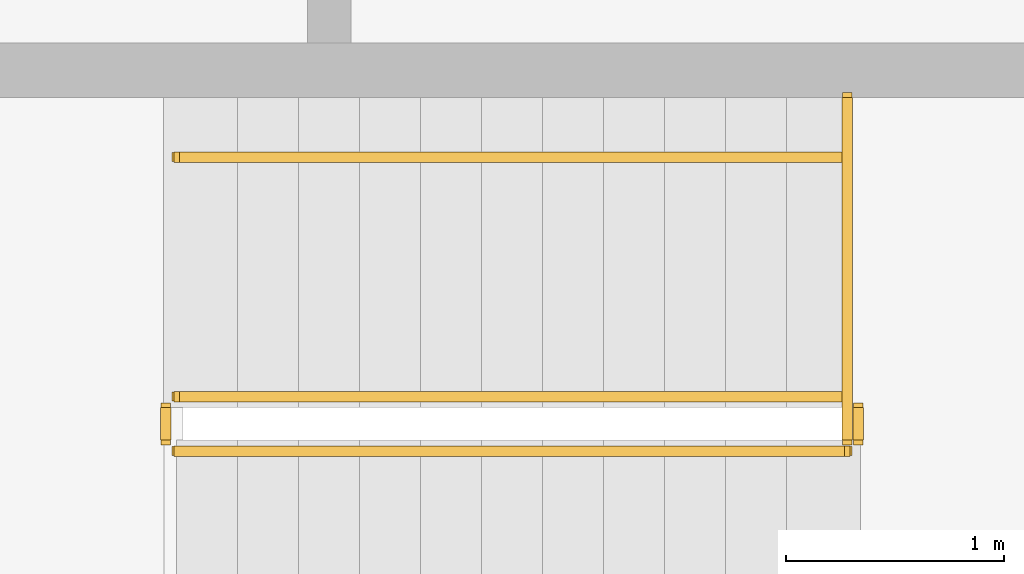
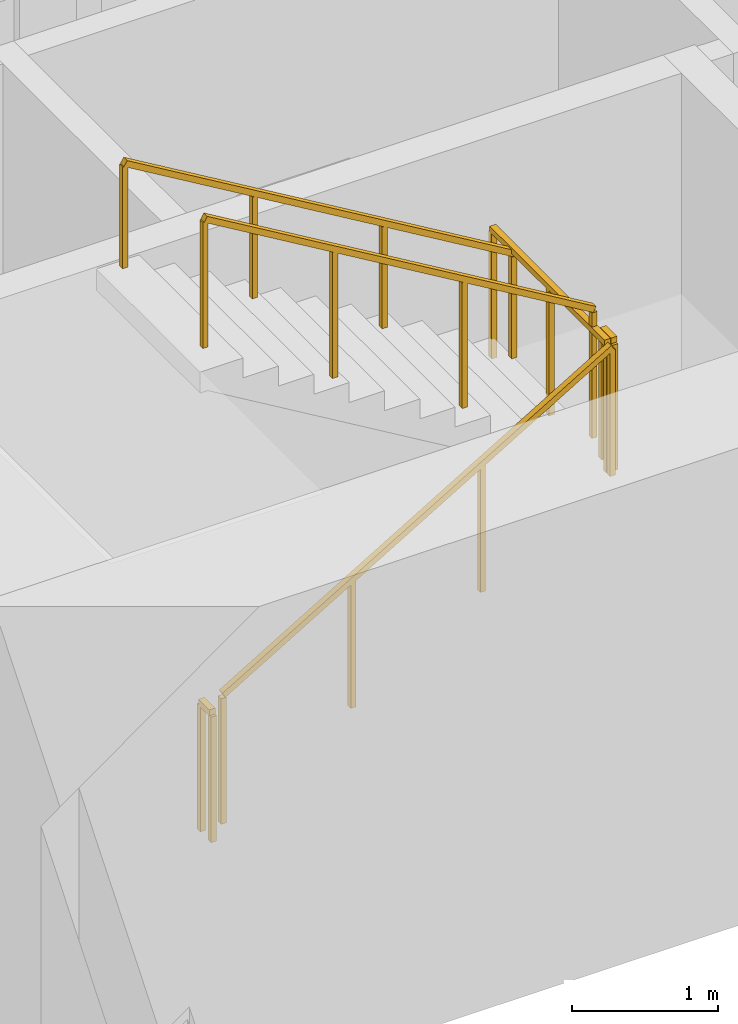
# One storey, part 13 of 16: 6 railings.
"""IFC4 building model written with IfcOpenShell, lengths in metres."""

from ifc_helpers import new_model, si_unit, direction, frame, origin, origin_2d, place, context, subcontext, project, spatial, rectangle, extrude, material, type_object, element, save


model = new_model("IFC4")

# Units and contexts
model_context = context("Model", 3, precision=1e-05, world=origin(), true_north=direction((0.0, 1.0)))
body_context = subcontext(model_context, "Body", "Model", "MODEL_VIEW")
ifc_project = project(units=[si_unit("LENGTHUNIT", "METRE"), si_unit("AREAUNIT", "SQUARE_METRE"), si_unit("VOLUMEUNIT", "CUBIC_METRE"), si_unit("PLANEANGLEUNIT", "RADIAN"), si_unit("MASSUNIT", "GRAM", prefix="KILO")], contexts=[model_context])

# Site, building, storey
site_placement = place(None, origin())
site = spatial("IfcSite", under=ifc_project, at=site_placement, CompositionType="ELEMENT")
building_placement = place(site_placement, origin())
building = spatial("IfcBuilding", under=site, at=building_placement, Name="Sennacour Bend Tower", CompositionType="ELEMENT")
storey_placement = place(building_placement, frame((0.0, 0.0, 211.0)))
storey = spatial("IfcBuildingStorey", under=building, at=storey_placement, Name="L48", CompositionType="ELEMENT", Elevation=211.0)

# Railings
ifc_material = material(Name="Stainless steel", Category="steel")
railing_type_1 = type_object("IfcRailingType", Name="RL-GUARD-1100", PredefinedType="GUARDRAIL", material=ifc_material)
railing_1_placement = place(storey_placement, frame((56.699951171875, 2.449951171875, 0.166748046875)))
element("IfcRailing", 1, at=railing_1_placement, inside=storey, type_object=railing_type_1, Name="L48 SA1 stair guard 1", PredefinedType="GUARDRAIL", context=body_context, shape_type="SweptSolid", body=[
    extrude(rectangle(XDim=0.048095703125, YDim=0.048095703125, at=origin_2d()), frame((0.0, 0.0, 1.076171875), z_axis=(0.859308565015, 0.0, 0.511457515432), x_axis=(0.0, 1.0, 0.0)), (0.0, 0.0, 1.0), 3.58447265625),
    extrude(rectangle(XDim=0.0419921875, YDim=0.0419921875, at=origin_2d()), origin(), (0.0, 0.0, 1.0), 1.052001953125),
    extrude(rectangle(XDim=0.0419921875, YDim=0.0419921875, at=origin_2d()), frame((1.026611328125, 0.0, 0.611083984375)), (0.0, 0.0, 1.0), 1.052001953125),
    extrude(rectangle(XDim=0.0419921875, YDim=0.0419921875, at=origin_2d()), frame((2.053466796875, 0.0, 1.22216796875)), (0.0, 0.0, 1.0), 1.052001953125),
    extrude(rectangle(XDim=0.0419921875, YDim=0.0419921875, at=origin_2d()), frame((3.080078125, 0.0, 1.833251953125)), (0.0, 0.0, 1.0), 1.052001953125),
])
railing_2_placement = place(storey_placement, frame((59.830078125, 2.5, 2.0)))
element("IfcRailing", 2, at=railing_2_placement, inside=storey, type_object=railing_type_1, Name="L48 SA1 stair guard 2", PredefinedType="GUARDRAIL", context=body_context, shape_type="SweptSolid", body=[
    extrude(rectangle(XDim=0.048095703125, YDim=0.048095703125, at=origin_2d()), frame((0.0, 0.0, 1.076171875), z_axis=(0.0, 1.0, 0.0), x_axis=(-1.0, 0.0, 0.0)), (0.0, 0.0, 1.0), 0.14990234375),
    extrude(rectangle(XDim=0.0419921875, YDim=0.0419921875, at=origin_2d()), origin(), (0.0, 0.0, 1.0), 1.052001953125),
    extrude(rectangle(XDim=0.0419921875, YDim=0.0419921875, at=origin_2d()), frame((0.0, 0.14990234375, 0.0)), (0.0, 0.0, 1.0), 1.052001953125),
])
railing_3_placement = place(storey_placement, frame((59.780029296875, 2.699951171875, 2.166748046875)))
element("IfcRailing", 3, at=railing_3_placement, inside=storey, type_object=railing_type_1, Name="L48 SA1 stair guard 4", PredefinedType="GUARDRAIL", context=body_context, shape_type="SweptSolid", body=[
    extrude(rectangle(XDim=0.048095703125, YDim=0.048095703125, at=origin_2d()), frame((0.0, 0.0, 1.076171875), z_axis=(-0.859308565015, 0.0, 0.511457515432), x_axis=(0.0, -1.0, 0.0)), (0.0, 0.0, 1.0), 3.58447265625),
    extrude(rectangle(XDim=0.0419921875, YDim=0.0419921875, at=origin_2d()), origin(), (0.0, 0.0, 1.0), 1.052001953125),
    extrude(rectangle(XDim=0.0419921875, YDim=0.0419921875, at=origin_2d()), frame((-1.026611328125, 0.0, 0.611083984375)), (0.0, 0.0, 1.0), 1.052001953125),
    extrude(rectangle(XDim=0.0419921875, YDim=0.0419921875, at=origin_2d()), frame((-2.053466796875, 0.0, 1.22216796875)), (0.0, 0.0, 1.0), 1.052001953125),
    extrude(rectangle(XDim=0.0419921875, YDim=0.0419921875, at=origin_2d()), frame((-3.080078125, 0.0, 1.833251953125)), (0.0, 0.0, 1.0), 1.052001953125),
])
railing_4_placement = place(storey_placement, frame((56.64990234375, 2.5, 0.0)))
element("IfcRailing", 4, at=railing_4_placement, inside=storey, type_object=railing_type_1, Name="L48 SA1 stair guard 5", PredefinedType="GUARDRAIL", context=body_context, shape_type="SweptSolid", body=[
    extrude(rectangle(XDim=0.048095703125, YDim=0.048095703125, at=origin_2d()), frame((0.0, 0.0, 1.076171875), z_axis=(0.0, 1.0, 0.0), x_axis=(-1.0, 0.0, 0.0)), (0.0, 0.0, 1.0), 0.14990234375),
    extrude(rectangle(XDim=0.0419921875, YDim=0.0419921875, at=origin_2d()), origin(), (0.0, 0.0, 1.0), 1.052001953125),
    extrude(rectangle(XDim=0.0419921875, YDim=0.0419921875, at=origin_2d()), frame((0.0, 0.14990234375, 0.0)), (0.0, 0.0, 1.0), 1.052001953125),
])
railing_5_placement = place(storey_placement, frame((59.780029296875, 2.5, 2.0)))
element("IfcRailing", 5, at=railing_5_placement, inside=storey, type_object=railing_type_1, Name="L48 SA1 landing edge guard 70", PredefinedType="GUARDRAIL", context=body_context, shape_type="SweptSolid", body=[
    extrude(rectangle(XDim=0.048095703125, YDim=0.048095703125, at=origin_2d()), frame((0.0, 0.0, 1.076171875), z_axis=(0.0, 1.0, 0.0), x_axis=(-1.0, 0.0, 0.0)), (0.0, 0.0, 1.0), 1.574951171875),
    extrude(rectangle(XDim=0.0419921875, YDim=0.0419921875, at=origin_2d()), origin(), (0.0, 0.0, 1.0), 1.052001953125),
    extrude(rectangle(XDim=0.0419921875, YDim=0.0419921875, at=origin_2d()), frame((0.0, 0.78759765625, 0.0)), (0.0, 0.0, 1.0), 1.052001953125),
    extrude(rectangle(XDim=0.0419921875, YDim=0.0419921875, at=origin_2d()), frame((0.0, 1.574951171875, 0.0)), (0.0, 0.0, 1.0), 1.052001953125),
])
railing_type_2 = type_object("IfcRailingType", Name="RL-HANDRAIL-900", PredefinedType="HANDRAIL", material=ifc_material)
railing_6_placement = place(storey_placement, frame((59.780029296875, 3.800048828125, 2.166748046875)))
element("IfcRailing", 6, at=railing_6_placement, inside=storey, type_object=railing_type_2, Name="L48 SA1 stair handrail 2", PredefinedType="HANDRAIL", context=body_context, shape_type="SweptSolid", body=[
    extrude(rectangle(XDim=0.048095703125, YDim=0.048095703125, at=origin_2d()), frame((0.0, 0.0, 0.8759765625), z_axis=(-0.859308565015, 0.0, 0.511457515432), x_axis=(0.0, -1.0, 0.0)), (0.0, 0.0, 1.0), 3.58447265625),
    extrude(rectangle(XDim=0.0419921875, YDim=0.0419921875, at=origin_2d()), origin(), (0.0, 0.0, 1.0), 0.851806640625),
    extrude(rectangle(XDim=0.0419921875, YDim=0.0419921875, at=origin_2d()), frame((-1.026611328125, 0.0, 0.611083984375)), (0.0, 0.0, 1.0), 0.851806640625),
    extrude(rectangle(XDim=0.0419921875, YDim=0.0419921875, at=origin_2d()), frame((-2.053466796875, 0.0, 1.22216796875)), (0.0, 0.0, 1.0), 0.851806640625),
    extrude(rectangle(XDim=0.0419921875, YDim=0.0419921875, at=origin_2d()), frame((-3.080078125, 0.0, 1.833251953125)), (0.0, 0.0, 1.0), 0.851806640625),
])

save(model, "model.ifc")
